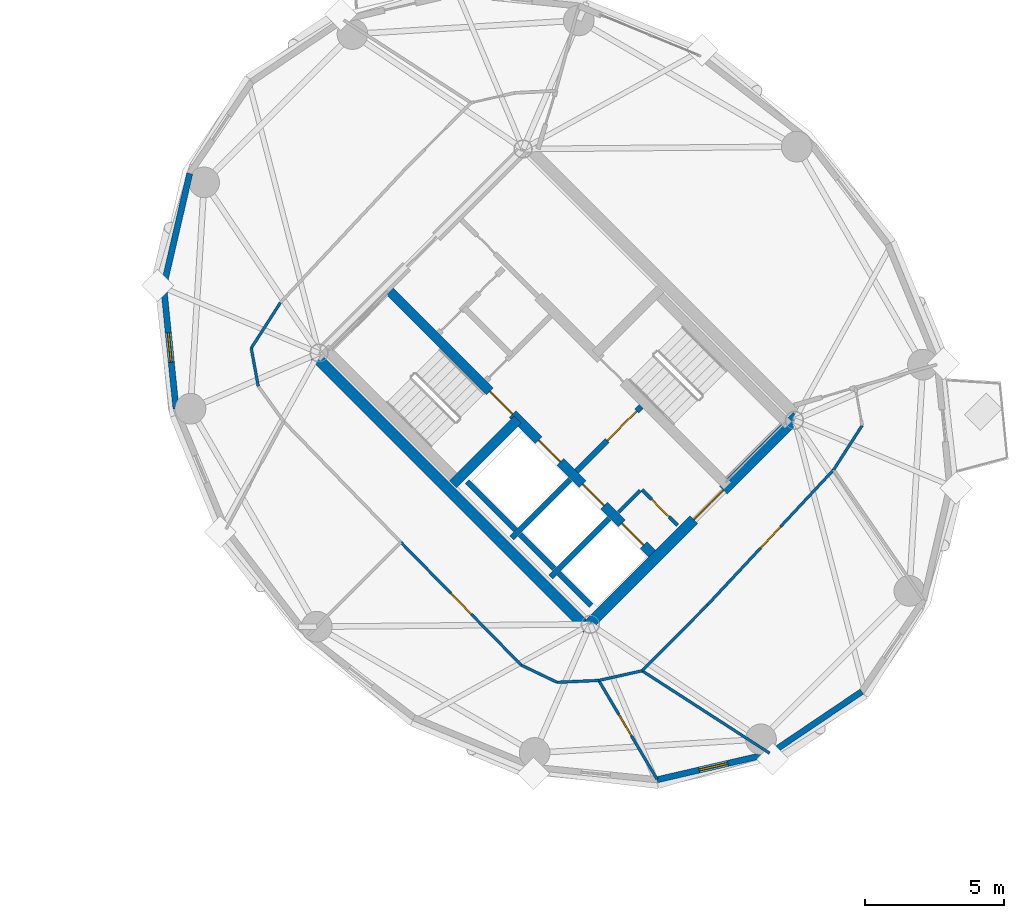
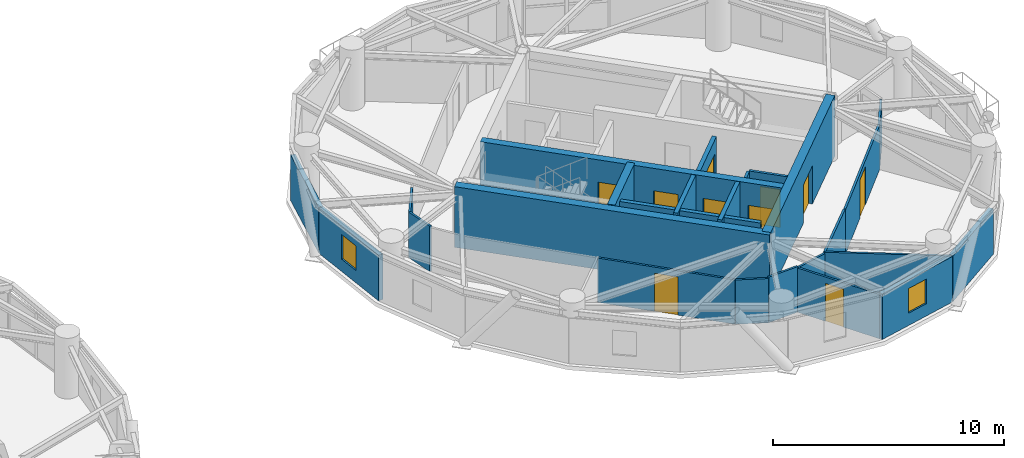
# One storey, part 10 of 15: 27 walls, 10 doors, 2 windows, 12 openings.
"""IFC4 building model written with IfcOpenShell, lengths in metres."""

import ifcopenshell
import ifcopenshell.guid

model = None  # the IFC model being written
_history = None  # IfcOwnerHistory: only IFC2X3 demands one
_inside = {}  # id of a spatial element -> (the spatial element, [elements in it])
_under = {}  # id of a project, library or spatial element -> (it, [spatial elements below it])
_declared = {}  # id of a project -> (the project, [libraries it declares])
_typed = {}  # id of a type object -> (the type object, [elements of that type])
_made_of = {}  # id of a material, layer set ... -> (it, [elements and type objects made of it])


def new_model(schema):
    """Start an empty IFC model of exactly this schema.

    Asked for "IFC4X3", IfcOpenShell would pick the latest addendum, in which some entities
    have other attributes; the version numbers below select the first issue.
    IFC2X3 requires an IfcOwnerHistory on every rooted entity: one is made here for all.
    """
    global model, _history
    if schema == "IFC4X3":
        model = ifcopenshell.file(schema_version=(4, 3, 0, 0))
    else:
        model = ifcopenshell.file(schema=schema)
    _inside.clear()
    _under.clear()
    _declared.clear()
    _typed.clear()
    _made_of.clear()
    _history = None
    if model.schema == "IFC2X3":
        org = make("IfcOrganization", Name="unknown")
        user = make(
            "IfcPersonAndOrganization",
            ThePerson=make("IfcPerson", FamilyName="unknown"),
            TheOrganization=org,
        )
        app = make(
            "IfcApplication",
            ApplicationDeveloper=org,
            Version="unknown",
            ApplicationFullName="unknown",
            ApplicationIdentifier="unknown",
        )
        _history = make(
            "IfcOwnerHistory",
            OwningUser=user,
            OwningApplication=app,
            ChangeAction="ADDED",
            CreationDate=0,
        )
    return model


def make(cls, **values):
    """One entity of the class cls with the attributes given. An attribute that is None is left unset."""
    return model.create_entity(
        cls, **{name: value for name, value in values.items() if value is not None}
    )


def rooted(cls, **values):
    """An entity with a GlobalId (a new one), such as an element, a storey or a relation."""
    return make(cls, GlobalId=ifcopenshell.guid.new(), OwnerHistory=_history, **values)


def si_unit(unit_type, name, prefix=None):
    """IfcSIUnit, for example si_unit("LENGTHUNIT", "METRE", prefix="MILLI")."""
    return make("IfcSIUnit", UnitType=unit_type, Prefix=prefix, Name=name)


def assignment(units):
    """IfcUnitAssignment: the units of a project."""
    return None if units is None else make("IfcUnitAssignment", Units=units)


def point(xyz):
    """IfcCartesianPoint."""
    return None if xyz is None else make("IfcCartesianPoint", Coordinates=xyz)


def direction(xyz):
    """IfcDirection."""
    return None if xyz is None else make("IfcDirection", DirectionRatios=xyz)


def frame(location, z_axis=None, x_axis=None):
    """IfcAxis2Placement3D, a coordinate frame: its origin and axes. An axis left out is left unset."""
    return make(
        "IfcAxis2Placement3D",
        Location=point(location),
        Axis=direction(z_axis),
        RefDirection=direction(x_axis),
    )


def frame_2d(location, x_axis=None):
    """IfcAxis2Placement2D, a coordinate frame in the plane: its origin and x axis."""
    return make(
        "IfcAxis2Placement2D", Location=point(location), RefDirection=direction(x_axis)
    )


def origin():
    """The frame at (0, 0, 0) with its axes left unset."""
    return frame((0.0, 0.0, 0.0))


def place(relative_to, where):
    """IfcLocalPlacement: puts the frame where relative to a parent placement (None: the world)."""
    return make(
        "IfcLocalPlacement", PlacementRelTo=relative_to, RelativePlacement=where
    )


def context(
    kind, dimensions, precision=None, world=None, true_north=None, identifier=None
):
    """IfcGeometricRepresentationContext, for example the 3D "Model" context."""
    return make(
        "IfcGeometricRepresentationContext",
        ContextIdentifier=identifier,
        ContextType=kind,
        CoordinateSpaceDimension=dimensions,
        Precision=precision,
        WorldCoordinateSystem=world,
        TrueNorth=true_north,
    )


def subcontext(parent, identifier, kind, view, scale=None):
    """IfcGeometricRepresentationSubContext, for example "Body" below "Model"."""
    return make(
        "IfcGeometricRepresentationSubContext",
        ContextIdentifier=identifier,
        ContextType=kind,
        ParentContext=parent,
        TargetScale=scale,
        TargetView=view,
    )


def project(units=None, contexts=None):
    """IfcProject with its units and contexts."""
    return rooted(
        "IfcProject",
        Name="project",
        RepresentationContexts=contexts,
        UnitsInContext=assignment(units),
    )


def spatial(cls, under=None, at=None, **own):
    """A site, building, storey or space (cls), placed at a placement, below another one or the project."""
    s = rooted(cls, ObjectPlacement=at, **own)
    if under is not None:
        _under.setdefault(under.id(), (under, []))[1].append(s)
    return s


def profile(cls, at=None, kind="AREA", **sizes):
    """A parametric profile (cls). Its sizes go by their IFC names, for example OverallWidth=200.0."""
    return make(cls, ProfileType=kind, Position=at, **sizes)


def rectangle(**sizes):
    """IfcRectangleProfileDef."""
    return profile("IfcRectangleProfileDef", **sizes)


def extrude(swept, where, along, depth):
    """IfcExtrudedAreaSolid: the profile swept, set in the frame where, extruded along a direction by depth."""
    return make(
        "IfcExtrudedAreaSolid",
        SweptArea=swept,
        Position=where,
        ExtrudedDirection=direction(along),
        Depth=depth,
    )


def shape(context_of_items, identifier, shape_type, items):
    """IfcShapeRepresentation: the items that make up one representation, for example the "Body"."""
    return make(
        "IfcShapeRepresentation",
        ContextOfItems=context_of_items,
        RepresentationIdentifier=identifier,
        RepresentationType=shape_type,
        Items=items,
    )


def source(mapping_origin, context_of_items, identifier, shape_type, items):
    """IfcRepresentationMap: a shape defined once, which mapped items show again and again."""
    return make(
        "IfcRepresentationMap",
        MappingOrigin=mapping_origin,
        MappedRepresentation=shape(context_of_items, identifier, shape_type, items),
    )


def transform(
    local_origin,
    x_axis=None,
    y_axis=None,
    z_axis=None,
    scale=None,
    scale2=None,
    scale3=None,
    uniform=True,
):
    """IfcCartesianTransformationOperator3D, or its non-uniform kind. x_axis, y_axis, z_axis: its Axis1, 2, 3."""
    if uniform:
        return make(
            "IfcCartesianTransformationOperator3D",
            Axis1=direction(x_axis),
            Axis2=direction(y_axis),
            LocalOrigin=point(local_origin),
            Scale=scale,
            Axis3=direction(z_axis),
        )
    return make(
        "IfcCartesianTransformationOperator3DnonUniform",
        Axis1=direction(x_axis),
        Axis2=direction(y_axis),
        LocalOrigin=point(local_origin),
        Scale=scale,
        Axis3=direction(z_axis),
        Scale2=scale2,
        Scale3=scale3,
    )


def mapped(mapping_source, mapping_target):
    """IfcMappedItem: shows the shape of a source again, moved by a transform."""
    return make(
        "IfcMappedItem", MappingSource=mapping_source, MappingTarget=mapping_target
    )


def material(Name=None, Category=None):
    """IfcMaterial."""
    return make("IfcMaterial", Name=Name, Category=Category)


def layer(
    of_material, thickness, ventilated=None, Name=None, Category=None, Priority=None
):
    """IfcMaterialLayer: one layer of a wall or slab, of a material (None: an air gap)."""
    return make(
        "IfcMaterialLayer",
        Material=of_material,
        LayerThickness=thickness,
        IsVentilated=ventilated,
        Name=Name,
        Category=Category,
        Priority=Priority,
    )


def layer_set(layers, Name=None):
    """IfcMaterialLayerSet."""
    return make("IfcMaterialLayerSet", MaterialLayers=layers, LayerSetName=Name)


def made_of(thing, what):
    """Note that an element or type object is made of a material, layer set ...; save() writes the relation."""
    if what is not None:
        _made_of.setdefault(what.id(), (what, []))[1].append(thing)
    return thing


def type_object(cls, material=None, **own):
    """A type object (cls), such as IfcWallType, which elements share."""
    return made_of(rooted(cls, **own), material)


def element(
    cls,
    number,
    at=None,
    inside=None,
    cuts=None,
    type_object=None,
    material=None,
    context=None,
    identifier="Body",
    shape_type=None,
    held_by="IfcProductDefinitionShape",
    body=None,
    shapes=None,
    **own,
):
    """One element of the class cls, such as IfcWall. Its Tag is "e" and its number.

    at: its placement. inside: the storey or other place that contains it. cuts: it is an
    opening in that element (IfcRelVoidsElement). A single representation is given by context,
    identifier, shape_type and body (its items); several are given by shapes. held_by: the class
    of the entity that holds the representations. save() writes the other relations.
    """
    e = rooted(cls, Tag="e%d" % number, ObjectPlacement=at, **own)
    if body is not None:
        shapes = [shape(context, identifier, shape_type, body)]
    if shapes is not None:
        e.Representation = make(held_by, Representations=shapes)
    if inside is not None:
        _inside.setdefault(inside.id(), (inside, []))[1].append(e)
    if cuts is not None:
        rooted(
            "IfcRelVoidsElement", RelatingBuildingElement=cuts, RelatedOpeningElement=e
        )
    if type_object is not None:
        _typed.setdefault(type_object.id(), (type_object, []))[1].append(e)
    return made_of(e, material)


def fill(opening, filler):
    """IfcRelFillsElement: the door or window that sits in an opening."""
    return rooted(
        "IfcRelFillsElement",
        RelatingOpeningElement=opening,
        RelatedBuildingElement=filler,
    )


def aggregate(whole, parts):
    """IfcRelAggregates: a whole, such as a stair, and the parts it consists of."""
    return rooted("IfcRelAggregates", RelatingObject=whole, RelatedObjects=parts)


def save(model, path):
    """Write the relations noted so far, then the file.

    IfcRelAggregates (storeys below a building ...), IfcRelContainedInSpatialStructure (elements
    in a storey), IfcRelDefinesByType, IfcRelAssociatesMaterial and IfcRelDeclares: one each for
    every whole, place, type object, material and project.
    """
    for whole, parts in _under.values():
        aggregate(whole, parts)
    for where, things in _inside.values():
        rooted(
            "IfcRelContainedInSpatialStructure",
            RelatedElements=things,
            RelatingStructure=where,
        )
    for kind, things in _typed.values():
        rooted("IfcRelDefinesByType", RelatedObjects=things, RelatingType=kind)
    for what, things in _made_of.values():
        rooted("IfcRelAssociatesMaterial", RelatedObjects=things, RelatingMaterial=what)
    for by, libraries in _declared.values():
        rooted("IfcRelDeclares", RelatingContext=by, RelatedDefinitions=libraries)
    model.write(path)


model = new_model("IFC4")

# Units and contexts
model_context = context("Model", 3, precision=1e-05, world=origin(), true_north=direction((0.0, 1.0)))
body_context = subcontext(model_context, "Body", "Model", "MODEL_VIEW")
ifc_project = project(units=[si_unit("LENGTHUNIT", "METRE"), si_unit("AREAUNIT", "SQUARE_METRE"), si_unit("VOLUMEUNIT", "CUBIC_METRE"), si_unit("PLANEANGLEUNIT", "RADIAN"), si_unit("MASSUNIT", "GRAM", prefix="KILO")], contexts=[model_context])

# Site, building, storey
site_placement = place(None, origin())
site = spatial("IfcSite", under=ifc_project, at=site_placement, CompositionType="ELEMENT")
building_placement = place(site_placement, origin())
building = spatial("IfcBuilding", under=site, at=building_placement, Name="Cununo Teusaquillo Station Towers", CompositionType="ELEMENT")
storey_placement = place(building_placement, frame((0.0, 0.0, 232.449951171875)))
storey = spatial("IfcBuildingStorey", under=building, at=storey_placement, Name="L74", CompositionType="ELEMENT", Elevation=232.449951171875)

# Walls
ifc_material_1 = material(Name="Concrete C50/60", Category="concrete")
ifc_layer_1 = layer(ifc_material_1, 0.199951171875)
ifc_layer_set_1 = layer_set([ifc_layer_1], Name="Concrete C50/60")
wall_type_1 = type_object("IfcWallType", Name="WL-CORE-200", PredefinedType="SHEAR", material=ifc_layer_set_1)
wall_1_placement = place(storey_placement, frame((55.8876953125, 19.0693359375, 0.0), z_axis=(0.0, 0.0, 1.0), x_axis=(0.707106781187, 0.707106781187, 0.0)))
element("IfcWall", 1, at=wall_1_placement, inside=storey, type_object=wall_type_1, Name="L74 Tower B Firefighting Lift Shaft South Shear Wall", PredefinedType="SHEAR", context=body_context, shape_type="SweptSolid", body=[
    extrude(rectangle(XDim=2.969970703125, YDim=0.199951171875, at=frame_2d((1.48486328125, 0.0))), origin(), (0.0, 0.0, 1.0), 3.199951171875),
])
wall_2_placement = place(storey_placement, frame((56.01513671875, 19.366455078125, 0.0), z_axis=(0.0, 0.0, 1.0), x_axis=(-0.707106781187, 0.707106781187, 0.0)))
element("IfcWall", 2, at=wall_2_placement, inside=storey, type_object=wall_type_1, Name="L74 Tower B Firefighting Lift Shaft Rear Shear Wall", PredefinedType="SHEAR", context=body_context, shape_type="SweptSolid", body=[
    extrude(rectangle(XDim=2.43994140625, YDim=0.199951171875, at=frame_2d((1.219970703125, 0.0))), origin(), (0.0, 0.0, 1.0), 3.199951171875),
])
wall_3_placement = place(storey_placement, frame((57.2841796875, 17.6728515625, 0.0), z_axis=(0.0, 0.0, 1.0), x_axis=(0.707147878904, 0.70706568108, 0.0)))
element("IfcWall", 3, at=wall_3_placement, inside=storey, type_object=wall_type_1, Name="L74 Tower B High-Rise Lift Hoistway Divider Shear Wall", PredefinedType="SHEAR", context=body_context, shape_type="SweptSolid", body=[
    extrude(rectangle(XDim=2.97021484375, YDim=0.199951171875, at=frame_2d((1.485107421875, 0.0))), origin(), (0.0, 0.0, 1.0), 3.199951171875),
])
wall_4_placement = place(storey_placement, frame((57.41162109375, 17.969970703125, 0.0), z_axis=(0.0, 0.0, 1.0), x_axis=(-0.707106781187, 0.707106781187, 0.0)))
element("IfcWall", 4, at=wall_4_placement, inside=storey, type_object=wall_type_1, Name="L74 Tower B High-Rise Lift 2 Shaft Rear Shear Wall", PredefinedType="SHEAR", context=body_context, shape_type="SweptSolid", body=[
    extrude(rectangle(XDim=1.73486328125, YDim=0.199951171875, at=frame_2d((0.867431640625, 0.0))), origin(), (0.0, 0.0, 1.0), 3.199951171875),
])
wall_5_placement = place(storey_placement, frame((58.7373046875, 16.64404296875, 0.0), z_axis=(0.0, 0.0, 1.0), x_axis=(-0.707032117043, 0.707181437447, 0.0)))
element("IfcWall", 5, at=wall_5_placement, inside=storey, type_object=wall_type_1, Name="L74 Tower B High-Rise Lift 1 Shaft Rear Shear Wall", PredefinedType="SHEAR", context=body_context, shape_type="SweptSolid", body=[
    extrude(rectangle(XDim=1.635009765625, YDim=0.199951171875, at=frame_2d((0.8173828125, 0.0))), origin(), (0.0, 0.0, 1.0), 3.199951171875),
])

# Wall, openings, doors
ifc_material_2 = material(Name="Concrete C50/60", Category="concrete")
ifc_layer_2 = layer(ifc_material_2, 0.35009765625)
ifc_layer_set_2 = layer_set([ifc_layer_2], Name="Concrete C50/60")
wall_type_2 = type_object("IfcWallType", Name="WL-CORE-350", PredefinedType="SHEAR", material=ifc_layer_set_2)
wall_6_placement = place(storey_placement, frame((61.060302734375, 18.372802734375, 0.0), z_axis=(0.0, 0.0, 1.0), x_axis=(-0.707106781187, 0.707106781187, 0.0)))
wall_6 = element("IfcWall", 6, at=wall_6_placement, inside=storey, type_object=wall_type_2, Name="L74 Tower B Core Shear Wall IW", PredefinedType="SHEAR", context=body_context, shape_type="SweptSolid", body=[
    extrude(rectangle(XDim=13.7001953125, YDim=0.35009765625, at=frame_2d((6.85009765625, 0.0))), origin(), (0.0, 0.0, 1.0), 3.199951171875),
])
shared_shape_1 = source(origin(), body_context, "Body", "SweptSolid", [
    extrude(rectangle(XDim=1.10009765625, YDim=2.014892578125, at=frame_2d((0.550048828125, 1.00732421875))), frame((0.0, 0.18505859375, 0.0), z_axis=(0.0, -1.0, 0.0), x_axis=(1.0, 0.0, 0.0)), (0.0, 0.0, 1.0), 0.3701171875),
])
opening_1_placement = place(wall_6_placement, frame((4.85009765625, 0.0, 0.0)))
opening_1 = element("IfcOpeningElement", 7, at=opening_1_placement, cuts=wall_6, Name="Opening LD-01", PredefinedType="OPENING", context=body_context, shape_type="MappedRepresentation", body=[
    mapped(shared_shape_1, transform((0.0, 0.0, 0.0), x_axis=(1.0, 0.0, 0.0), y_axis=(0.0, 1.0, 0.0), z_axis=(0.0, 0.0, 1.0), scale=1.0)),
])
opening_2_placement = place(wall_6_placement, frame((0.625, 0.0, 0.0)))
opening_2 = element("IfcOpeningElement", 8, at=opening_2_placement, cuts=wall_6, Name="Opening LD-01", PredefinedType="OPENING", context=body_context, shape_type="MappedRepresentation", body=[
    mapped(shared_shape_1, transform((0.0, 0.0, 0.0), x_axis=(1.0, 0.0, 0.0), y_axis=(0.0, 1.0, 0.0), z_axis=(0.0, 0.0, 1.0), scale=1.0)),
])
opening_3_placement = place(wall_6_placement, frame((2.625, 0.0, 0.0)))
opening_3 = element("IfcOpeningElement", 9, at=opening_3_placement, cuts=wall_6, Name="Opening LD-01", PredefinedType="OPENING", context=body_context, shape_type="MappedRepresentation", body=[
    mapped(shared_shape_1, transform((0.0, 0.0, 0.0), x_axis=(1.0, 0.0, 0.0), y_axis=(0.0, 1.0, 0.0), z_axis=(0.0, 0.0, 1.0), scale=1.0)),
])
shared_shape_2 = source(origin(), body_context, "Body", "SweptSolid", [
    extrude(rectangle(XDim=1.14990234375, YDim=2.02001953125, at=frame_2d((0.574951171875, 1.010009765625))), frame((0.0, 0.18505859375, 0.0), z_axis=(0.0, -1.0, 0.0), x_axis=(1.0, 0.0, 0.0)), (0.0, 0.0, 1.0), 0.3701171875),
])
opening_4_placement = place(wall_6_placement, frame((7.27001953125, 0.0, 0.0)))
opening_4 = element("IfcOpeningElement", 10, at=opening_4_placement, cuts=wall_6, Name="Opening D-ST1", PredefinedType="OPENING", context=body_context, shape_type="MappedRepresentation", body=[
    mapped(shared_shape_2, transform((0.0, 0.0, 0.0), x_axis=(1.0, 0.0, 0.0), y_axis=(0.0, 1.0, 0.0), z_axis=(0.0, 0.0, 1.0), scale=1.0)),
])
ifc_material_3 = material(Name="Galvanised fire-rated hollow steel door assembly", Category="steel")
door_type_1 = type_object("IfcDoorType", Name="DR-LIFT-1100", OperationType="SLIDING_TO_LEFT", PredefinedType="DOOR", material=ifc_material_3)
shared_shape_3 = source(origin(), body_context, "Body", "SweptSolid", [
    extrude(rectangle(XDim=1.10009765625, YDim=2.014892578125, at=frame_2d((0.550048828125, 1.00732421875))), frame((0.0, 0.02490234375, 0.0), z_axis=(0.0, -1.0, 0.0), x_axis=(1.0, 0.0, 0.0)), (0.0, 0.0, 1.0), 0.050048828125),
])
door_1_placement = place(opening_1_placement, origin())
door_1 = element("IfcDoor", 11, at=door_1_placement, inside=storey, type_object=door_type_1, Name="L74 Lift FL-T2 Sliding Landing Door", OperationType="SLIDING_TO_RIGHT", OverallHeight=2.014892578125, OverallWidth=1.10009765625, PredefinedType="DOOR", context=body_context, shape_type="MappedRepresentation", body=[
    mapped(shared_shape_3, transform((0.0, 0.0, 0.0), x_axis=(1.0, 0.0, 0.0), y_axis=(0.0, 1.0, 0.0), z_axis=(0.0, 0.0, 1.0), scale=1.0)),
])
fill(opening_1, door_1)
door_2_placement = place(opening_2_placement, origin())
door_2 = element("IfcDoor", 12, at=door_2_placement, inside=storey, type_object=door_type_1, Name="L74 Lift PL-T2-H1 Sliding Landing Door", OperationType="SLIDING_TO_RIGHT", OverallHeight=2.014892578125, OverallWidth=1.10009765625, PredefinedType="DOOR", context=body_context, shape_type="MappedRepresentation", body=[
    mapped(shared_shape_3, transform((0.0, 0.0, 0.0), x_axis=(1.0, 0.0, 0.0), y_axis=(0.0, 1.0, 0.0), z_axis=(0.0, 0.0, 1.0), scale=1.0)),
])
fill(opening_2, door_2)
door_3_placement = place(opening_3_placement, origin())
door_3 = element("IfcDoor", 13, at=door_3_placement, inside=storey, type_object=door_type_1, Name="L74 Lift PL-T2-H2 Sliding Landing Door", OperationType="SLIDING_TO_LEFT", OverallHeight=2.014892578125, OverallWidth=1.10009765625, PredefinedType="DOOR", context=body_context, shape_type="MappedRepresentation", body=[
    mapped(shared_shape_3, transform((0.0, 0.0, 0.0), x_axis=(1.0, 0.0, 0.0), y_axis=(0.0, 1.0, 0.0), z_axis=(0.0, 0.0, 1.0), scale=1.0)),
])
fill(opening_3, door_3)
ifc_material_4 = material(Name="Galvanised fire-rated hollow steel door assembly", Category="steel")
door_type_2 = type_object("IfcDoorType", Name="DR-STAIR-1150", OperationType="NOTDEFINED", PredefinedType="DOOR", material=ifc_material_4)
shared_shape_4 = source(origin(), body_context, "Body", "SweptSolid", [
    extrude(rectangle(XDim=1.14990234375, YDim=2.02001953125, at=frame_2d((0.574951171875, 1.010009765625))), frame((0.0, 0.02490234375, 0.0), z_axis=(0.0, -1.0, 0.0), x_axis=(1.0, 0.0, 0.0)), (0.0, 0.0, 1.0), 0.050048828125),
])
door_4_placement = place(opening_4_placement, origin())
door_4 = element("IfcDoor", 14, at=door_4_placement, inside=storey, type_object=door_type_2, Name="L74 Tower B Exit Stair 1 Fire Door", OperationType="SINGLE_SWING_RIGHT", OverallHeight=2.02001953125, OverallWidth=1.14990234375, PredefinedType="DOOR", context=body_context, shape_type="MappedRepresentation", body=[
    mapped(shared_shape_4, transform((0.0, 0.0, 0.0), x_axis=(1.0, 0.0, 0.0), y_axis=(0.0, 1.0, 0.0), z_axis=(0.0, 0.0, 1.0), scale=1.0)),
])
fill(opening_4, door_4)

# Walls
wall_7_placement = place(storey_placement, frame((53.7841796875, 21.00341796875, 0.0), z_axis=(0.0, 0.0, 1.0), x_axis=(0.707106781187, 0.707106781187, 0.0)))
element("IfcWall", 15, at=wall_7_placement, inside=storey, type_object=wall_type_2, Name="L74 Tower B Core Shear Wall ST1S", PredefinedType="SHEAR", context=body_context, shape_type="SweptSolid", body=[
    extrude(rectangle(XDim=3.284912109375, YDim=0.35009765625, at=frame_2d((1.642578125, 0.0))), origin(), (0.0, 0.0, 1.0), 3.199951171875),
])
ifc_material_5 = material(Name="Concrete C50/60", Category="concrete")
ifc_layer_3 = layer(ifc_material_5, 0.39990234375)
ifc_layer_set_3 = layer_set([ifc_layer_3], Name="Concrete C50/60")
wall_type_3 = type_object("IfcWallType", Name="WL-CORE-400", PredefinedType="SHEAR", material=ifc_layer_set_3)
wall_8_placement = place(storey_placement, frame((58.7021484375, 15.73193359375, 0.0), z_axis=(0.0, 0.0, 1.0), x_axis=(-0.707106781187, 0.707106781187, 0.0)))
element("IfcWall", 16, at=wall_8_placement, inside=storey, type_object=wall_type_3, Name="L74 Tower B Core Shear Wall W", PredefinedType="SHEAR", context=body_context, shape_type="SweptSolid", body=[
    extrude(rectangle(XDim=14.10009765625, YDim=0.39990234375, at=frame_2d((7.050048828125, 0.0))), origin(), (0.0, 0.0, 1.0), 3.199951171875),
])

# Wall, opening, door
wall_9_placement = place(storey_placement, frame((58.560791015625, 15.873291015625, 0.0), z_axis=(0.0, 0.0, 1.0), x_axis=(0.707106781187, 0.707106781187, 0.0)))
wall_9 = element("IfcWall", 17, at=wall_9_placement, inside=storey, type_object=wall_type_3, Name="L74 Tower B Core Shear Wall S", PredefinedType="SHEAR", context=body_context, shape_type="SweptSolid", body=[
    extrude(rectangle(XDim=10.69970703125, YDim=0.39990234375, at=frame_2d((5.349853515625, 0.0))), origin(), (0.0, 0.0, 1.0), 3.199951171875),
])
shared_shape_5 = source(origin(), body_context, "Body", "SweptSolid", [
    extrude(rectangle(XDim=1.5, YDim=2.02001953125, at=frame_2d((0.75, 1.010009765625))), frame((0.0, 0.2099609375, 0.0), z_axis=(0.0, -1.0, 0.0), x_axis=(1.0, 0.0, 0.0)), (0.0, 0.0, 1.0), 0.419921875),
])
opening_5_placement = place(wall_9_placement, frame((5.449951171875, 0.0, 0.0)))
opening_5 = element("IfcOpeningElement", 18, at=opening_5_placement, cuts=wall_9, Name="Opening D-LB1", PredefinedType="OPENING", context=body_context, shape_type="MappedRepresentation", body=[
    mapped(shared_shape_5, transform((0.0, 0.0, 0.0), x_axis=(1.0, 0.0, 0.0), y_axis=(0.0, 1.0, 0.0), z_axis=(0.0, 0.0, 1.0), scale=1.0)),
])
ifc_material_6 = material(Name="Galvanised fire-rated hollow steel door assembly", Category="steel")
door_type_3 = type_object("IfcDoorType", Name="DR-LOBBY-1500", OperationType="DOUBLE_DOOR_SINGLE_SWING", PredefinedType="DOOR", material=ifc_material_6)
shared_shape_6 = source(origin(), body_context, "Body", "SweptSolid", [
    extrude(rectangle(XDim=1.5, YDim=2.02001953125, at=frame_2d((0.75, 1.010009765625))), frame((0.0, 0.02490234375, 0.0), z_axis=(0.0, -1.0, 0.0), x_axis=(1.0, 0.0, 0.0)), (0.0, 0.0, 1.0), 0.050048828125),
])
door_5_placement = place(opening_5_placement, origin())
door_5 = element("IfcDoor", 19, at=door_5_placement, inside=storey, type_object=door_type_3, Name="L74 Tower B South Core Lift Lobby Door", OperationType="DOUBLE_DOOR_SINGLE_SWING", OverallHeight=2.02001953125, OverallWidth=1.5, PredefinedType="DOOR", context=body_context, shape_type="MappedRepresentation", body=[
    mapped(shared_shape_6, transform((0.0, 0.0, 0.0), x_axis=(1.0, 0.0, 0.0), y_axis=(0.0, 1.0, 0.0), z_axis=(0.0, 0.0, 1.0), scale=1.0)),
])
fill(opening_5, door_5)

# Wall
ifc_material_7 = material(Name="Precast concrete C40/50", Category="concrete")
ifc_layer_4 = layer(ifc_material_7, 0.219970703125)
ifc_layer_set_4 = layer_set([ifc_layer_4], Name="Precast concrete C40/50")
wall_type_4 = type_object("IfcWallType", Name="WL-EXT-220", PredefinedType="SOLIDWALL", material=ifc_layer_set_4)
wall_10_placement = place(storey_placement, frame((43.40087890625, 28.100341796875, 0.0), z_axis=(0.0, 0.0, 1.0), x_axis=(0.225473813158, 0.974249228678, 0.0)))
element("IfcWall", 20, at=wall_10_placement, inside=storey, type_object=wall_type_4, Name="L74 Tower B Exterior Facade Wall C06", PredefinedType="SOLIDWALL", context=body_context, shape_type="SweptSolid", body=[
    extrude(rectangle(XDim=4.150390625, YDim=0.219970703125, at=frame_2d((2.0751953125, 0.0))), origin(), (0.0, 0.0, 1.0), 2.402099609375),
])

# Wall, opening, window
wall_11_placement = place(storey_placement, frame((43.84521484375, 23.70458984375, 0.0), z_axis=(0.0, 0.0, 1.0), x_axis=(-0.100570534541, 0.994929930991, 0.0)))
wall_11 = element("IfcWall", 21, at=wall_11_placement, inside=storey, type_object=wall_type_4, Name="L74 Tower B Exterior Facade Wall C07", PredefinedType="SOLIDWALL", context=body_context, shape_type="SweptSolid", body=[
    extrude(rectangle(XDim=4.418212890625, YDim=0.219970703125, at=frame_2d((2.208984375, 0.0))), origin(), (0.0, 0.0, 1.0), 2.402099609375),
])
shared_shape_7 = source(origin(), body_context, "Body", "SweptSolid", [
    extrude(rectangle(XDim=1.050048828125, YDim=1.300048828125, at=frame_2d((0.52490234375, 0.64990234375))), frame((0.0, 0.119873046875, 0.0), z_axis=(0.0, -1.0, 0.0), x_axis=(1.0, 0.0, 0.0)), (0.0, 0.0, 1.0), 0.239990234375),
])
opening_6_placement = place(wall_11_placement, frame((1.68408203125, 0.0, 0.64990234375)))
opening_6 = element("IfcOpeningElement", 22, at=opening_6_placement, cuts=wall_11, Name="Opening WN-04", PredefinedType="OPENING", context=body_context, shape_type="MappedRepresentation", body=[
    mapped(shared_shape_7, transform((0.0, 0.0, 0.0), x_axis=(1.0, 0.0, 0.0), y_axis=(0.0, 1.0, 0.0), z_axis=(0.0, 0.0, 1.0), scale=1.0)),
])
ifc_material_8 = material(Name="Operable acoustic tinted low-E double glazing", Category="glass")
window_type = type_object("IfcWindowType", Name="WIN-BAL-1050", PartitioningType="SINGLE_PANEL", PredefinedType="WINDOW", material=ifc_material_8)
shared_shape_8 = source(origin(), body_context, "Body", "SweptSolid", [
    extrude(rectangle(XDim=1.050048828125, YDim=1.300048828125, at=frame_2d((0.52490234375, 0.64990234375))), frame((0.0, 0.030029296875, 0.0), z_axis=(0.0, -1.0, 0.0), x_axis=(1.0, 0.0, 0.0)), (0.0, 0.0, 1.0), 0.06005859375),
])
window_1_placement = place(opening_6_placement, origin())
window_1 = element("IfcWindow", 23, at=window_1_placement, inside=storey, type_object=window_type, Name="L74 Tower B Facade Window C07", OverallHeight=1.300048828125, OverallWidth=1.050048828125, PartitioningType="SINGLE_PANEL", PredefinedType="WINDOW", context=body_context, shape_type="MappedRepresentation", body=[
    mapped(shared_shape_8, transform((0.0, 0.0, 0.0), x_axis=(1.0, 0.0, 0.0), y_axis=(0.0, 1.0, 0.0), z_axis=(0.0, 0.0, 1.0), scale=1.0)),
])
fill(opening_6, window_1)

wall_12_placement = place(storey_placement, frame((65.143798828125, 11.336669921875, 0.0), z_axis=(0.0, 0.0, 1.0), x_axis=(-0.974249228678, -0.225473813158, 0.0)))
wall_12 = element("IfcWall", 24, at=wall_12_placement, inside=storey, type_object=wall_type_4, Name="L74 Tower B Exterior Facade Wall C13", PredefinedType="SOLIDWALL", context=body_context, shape_type="SweptSolid", body=[
    extrude(rectangle(XDim=4.150390625, YDim=0.219970703125, at=frame_2d((2.0751953125, 0.0))), origin(), (0.0, 0.0, 1.0), 2.402099609375),
])
opening_7_placement = place(wall_12_placement, frame((1.550048828125, 0.0, 0.64990234375)))
opening_7 = element("IfcOpeningElement", 25, at=opening_7_placement, cuts=wall_12, Name="Opening WN-04", PredefinedType="OPENING", context=body_context, shape_type="MappedRepresentation", body=[
    mapped(shared_shape_7, transform((0.0, 0.0, 0.0), x_axis=(1.0, 0.0, 0.0), y_axis=(0.0, 1.0, 0.0), z_axis=(0.0, 0.0, 1.0), scale=1.0)),
])
window_2_placement = place(opening_7_placement, origin())
window_2 = element("IfcWindow", 26, at=window_2_placement, inside=storey, type_object=window_type, Name="L74 Tower B Facade Window C13", OverallHeight=1.300048828125, OverallWidth=1.050048828125, PartitioningType="SINGLE_PANEL", PredefinedType="WINDOW", context=body_context, shape_type="MappedRepresentation", body=[
    mapped(shared_shape_8, transform((0.0, 0.0, 0.0), x_axis=(1.0, 0.0, 0.0), y_axis=(0.0, 1.0, 0.0), z_axis=(0.0, 0.0, 1.0), scale=1.0)),
])
fill(opening_7, window_2)

# Walls
wall_13_placement = place(storey_placement, frame((68.43896484375, 13.56103515625, 0.0), z_axis=(0.0, 0.0, 1.0), x_axis=(-0.828833723692, -0.559495003079, 0.0)))
element("IfcWall", 27, at=wall_13_placement, inside=storey, type_object=wall_type_4, Name="L74 Tower B Exterior Facade Wall C14", PredefinedType="SOLIDWALL", context=body_context, shape_type="SweptSolid", body=[
    extrude(rectangle(XDim=3.9755859375, YDim=0.219970703125, at=frame_2d((1.98779296875, 0.0))), origin(), (0.0, 0.0, 1.0), 2.402099609375),
])
ifc_material_9 = material(Name="Fire-rated gypsum plasterboard partition assembly", Category="gypsum")
ifc_layer_5 = layer(ifc_material_9, 0.10009765625)
ifc_layer_set_5 = layer_set([ifc_layer_5], Name="Fire-rated gypsum plasterboard partition assembly")
wall_type_5 = type_object("IfcWallType", Name="WL-PART-100", PredefinedType="MOVABLE", material=ifc_layer_set_5)
wall_14_placement = place(storey_placement, frame((47.58837890625, 27.51025390625, 0.0), z_axis=(0.0, 0.0, 1.0), x_axis=(-0.540202619347, -0.841534984449, 0.0)))
element("IfcWall", 28, at=wall_14_placement, inside=storey, type_object=wall_type_5, Name="L74 Tower B Corridor Ring Wall C06", PredefinedType="MOVABLE", context=body_context, shape_type="SweptSolid", body=[
    extrude(rectangle(XDim=1.934814453125, YDim=0.10009765625, at=frame_2d((0.96728515625, 0.0))), origin(), (0.0, 0.0, 1.0), 2.3349609375),
])
wall_15_placement = place(storey_placement, frame((46.543212890625, 25.882080078125, 0.0), z_axis=(0.0, 0.0, 1.0), x_axis=(0.181153502579, -0.983454832976, 0.0)))
element("IfcWall", 29, at=wall_15_placement, inside=storey, type_object=wall_type_5, Name="L74 Tower B Corridor Ring Wall C07", PredefinedType="MOVABLE", context=body_context, shape_type="SweptSolid", body=[
    extrude(rectangle(XDim=1.39208984375, YDim=0.10009765625, at=frame_2d((0.696044921875, 0.0))), origin(), (0.0, 0.0, 1.0), 2.402099609375),
])

# Wall, opening, door
wall_16_placement = place(storey_placement, frame((51.913818359375, 18.913818359375, 0.0), z_axis=(0.0, 0.0, 1.0), x_axis=(0.699999313799, -0.714143515465, 0.0)))
wall_16 = element("IfcWall", 30, at=wall_16_placement, inside=storey, type_object=wall_type_5, Name="L74 Tower B Corridor Ring Wall C10", PredefinedType="MOVABLE", context=body_context, shape_type="SweptSolid", body=[
    extrude(rectangle(XDim=6.162109375, YDim=0.10009765625, at=frame_2d((3.0810546875, 0.0))), origin(), (0.0, 0.0, 1.0), 2.3349609375),
])
shared_shape_9 = source(origin(), body_context, "Body", "SweptSolid", [
    extrude(rectangle(XDim=1.050048828125, YDim=2.014892578125, at=frame_2d((0.52490234375, 1.00732421875))), frame((0.0, 0.06005859375, 0.0), z_axis=(0.0, -1.0, 0.0), x_axis=(1.0, 0.0, 0.0)), (0.0, 0.0, 1.0), 0.1201171875),
])
opening_8_placement = place(wall_16_placement, frame((2.55615234375, 0.0, 0.0)))
opening_8 = element("IfcOpeningElement", 31, at=opening_8_placement, cuts=wall_16, Name="Opening D-SU1", PredefinedType="OPENING", context=body_context, shape_type="MappedRepresentation", body=[
    mapped(shared_shape_9, transform((0.0, 0.0, 0.0), x_axis=(1.0, 0.0, 0.0), y_axis=(0.0, 1.0, 0.0), z_axis=(0.0, 0.0, 1.0), scale=1.0)),
])
ifc_material_10 = material(Name="Acoustic solid-core hardwood leaf assembly", Category="wood")
door_type_4 = type_object("IfcDoorType", Name="DR-SUITE-1050", OperationType="NOTDEFINED", PredefinedType="DOOR", material=ifc_material_10)
shared_shape_10 = source(origin(), body_context, "Body", "SweptSolid", [
    extrude(rectangle(XDim=1.050048828125, YDim=2.014892578125, at=frame_2d((0.52490234375, 1.00732421875))), frame((0.0, 0.02490234375, 0.0), z_axis=(0.0, -1.0, 0.0), x_axis=(1.0, 0.0, 0.0)), (0.0, 0.0, 1.0), 0.050048828125),
])
door_6_placement = place(opening_8_placement, origin())
door_6 = element("IfcDoor", 32, at=door_6_placement, inside=storey, type_object=door_type_4, Name="L74 Tower B Interactive Altitude & Climate Exhibit Entrance Door", OperationType="SINGLE_SWING_RIGHT", OverallHeight=2.014892578125, OverallWidth=1.050048828125, PredefinedType="DOOR", context=body_context, shape_type="MappedRepresentation", body=[
    mapped(shared_shape_10, transform((0.0, 0.0, 0.0), x_axis=(1.0, 0.0, 0.0), y_axis=(0.0, 1.0, 0.0), z_axis=(0.0, 0.0, 1.0), scale=1.0)),
])
fill(opening_8, door_6)

# Walls
wall_17_placement = place(storey_placement, frame((56.227294921875, 14.51318359375, 0.0), z_axis=(0.0, 0.0, 1.0), x_axis=(0.901477579283, -0.432825801044, 0.0)))
element("IfcWall", 33, at=wall_17_placement, inside=storey, type_object=wall_type_5, Name="L74 Tower B Corridor Ring Wall C11", PredefinedType="MOVABLE", context=body_context, shape_type="SweptSolid", body=[
    extrude(rectangle(XDim=1.42431640625, YDim=0.10009765625, at=frame_2d((0.712158203125, 0.0))), origin(), (0.0, 0.0, 1.0), 2.3349609375),
])
wall_18_placement = place(storey_placement, frame((57.51123046875, 13.896728515625, 0.0), z_axis=(0.0, 0.0, 1.0), x_axis=(0.999024538494, 0.044158481476, 0.0)))
element("IfcWall", 34, at=wall_18_placement, inside=storey, type_object=wall_type_5, Name="L74 Tower B Corridor Ring Wall C12", PredefinedType="MOVABLE", context=body_context, shape_type="SweptSolid", body=[
    extrude(rectangle(XDim=1.498291015625, YDim=0.10009765625, at=frame_2d((0.7490234375, 0.0))), origin(), (0.0, 0.0, 1.0), 2.402099609375),
])
wall_19_placement = place(storey_placement, frame((59.008056640625, 13.962890625, 0.0), z_axis=(0.0, 0.0, 1.0), x_axis=(0.976020856791, 0.21767702476, 0.0)))
element("IfcWall", 35, at=wall_19_placement, inside=storey, type_object=wall_type_5, Name="L74 Tower B Corridor Ring Wall C13", PredefinedType="MOVABLE", context=body_context, shape_type="SweptSolid", body=[
    extrude(rectangle(XDim=1.592529296875, YDim=0.10009765625, at=frame_2d((0.79638671875, 0.0))), origin(), (0.0, 0.0, 1.0), 2.3349609375),
])
wall_20_placement = place(storey_placement, frame((60.5625, 14.3095703125, 0.0), z_axis=(0.0, 0.0, 1.0), x_axis=(0.704566236161, 0.709638230975, 0.0)))
element("IfcWall", 36, at=wall_20_placement, inside=storey, type_object=wall_type_5, Name="L74 Tower B Corridor Ring Wall C14", PredefinedType="MOVABLE", context=body_context, shape_type="SweptSolid", body=[
    extrude(rectangle(XDim=3.3212890625, YDim=0.10009765625, at=frame_2d((1.66064453125, 0.0))), origin(), (0.0, 0.0, 1.0), 2.402099609375),
])

# Wall, opening, door
wall_21_placement = place(storey_placement, frame((62.902587890625, 16.66650390625, 0.0), z_axis=(0.0, 0.0, 1.0), x_axis=(0.682371947497, 0.731005147225, 0.0)))
wall_21 = element("IfcWall", 37, at=wall_21_placement, inside=storey, type_object=wall_type_5, Name="L74 Tower B Corridor Ring Wall C15", PredefinedType="MOVABLE", context=body_context, shape_type="SweptSolid", body=[
    extrude(rectangle(XDim=6.6416015625, YDim=0.10009765625, at=frame_2d((3.32080078125, 0.0))), origin(), (0.0, 0.0, 1.0), 2.3349609375),
])
opening_9_placement = place(wall_21_placement, frame((2.7958984375, 0.0, 0.0)))
opening_9 = element("IfcOpeningElement", 38, at=opening_9_placement, cuts=wall_21, Name="Opening D-SU1", PredefinedType="OPENING", context=body_context, shape_type="MappedRepresentation", body=[
    mapped(shared_shape_9, transform((0.0, 0.0, 0.0), x_axis=(1.0, 0.0, 0.0), y_axis=(0.0, 1.0, 0.0), z_axis=(0.0, 0.0, 1.0), scale=1.0)),
])
door_7_placement = place(opening_9_placement, origin())
door_7 = element("IfcDoor", 39, at=door_7_placement, inside=storey, type_object=door_type_4, Name="L74 Tower B Observatory Cafe & Gift Salon Entrance Door", OperationType="SINGLE_SWING_RIGHT", OverallHeight=2.014892578125, OverallWidth=1.050048828125, PredefinedType="DOOR", context=body_context, shape_type="MappedRepresentation", body=[
    mapped(shared_shape_10, transform((0.0, 0.0, 0.0), x_axis=(1.0, 0.0, 0.0), y_axis=(0.0, 1.0, 0.0), z_axis=(0.0, 0.0, 1.0), scale=1.0)),
])
fill(opening_9, door_7)

# Walls
wall_22_placement = place(storey_placement, frame((67.4345703125, 21.521484375, 0.0), z_axis=(0.0, 0.0, 1.0), x_axis=(0.540777197838, 0.841165870859, 0.0)))
element("IfcWall", 40, at=wall_22_placement, inside=storey, type_object=wall_type_5, Name="L74 Tower B Corridor Ring Wall C16", PredefinedType="MOVABLE", context=body_context, shape_type="SweptSolid", body=[
    extrude(rectangle(XDim=1.887939453125, YDim=0.10009765625, at=frame_2d((0.94384765625, 0.0))), origin(), (0.0, 0.0, 1.0), 2.3349609375),
])
wall_23_placement = place(storey_placement, frame((60.5625, 14.3095703125, 0.0), z_axis=(0.0, 0.0, 1.0), x_axis=(0.839858797161, -0.542804938105, 0.0)))
element("IfcWall", 41, at=wall_23_placement, inside=storey, type_object=wall_type_5, Name="L74 Tower B Radial Suite Partition R04", PredefinedType="MOVABLE", context=body_context, shape_type="SweptSolid", body=[
    extrude(rectangle(XDim=5.444091796875, YDim=0.10009765625, at=frame_2d((2.72216796875, 0.0))), origin(), (0.0, 0.0, 1.0), 2.402099609375),
])

# Wall, opening, door
wall_24_placement = place(storey_placement, frame((59.008056640625, 13.962890625, 0.0), z_axis=(0.0, 0.0, 1.0), x_axis=(0.508047134864, -0.86132926849, 0.0)))
wall_24 = element("IfcWall", 42, at=wall_24_placement, inside=storey, type_object=wall_type_5, Name="L74 Tower B Interactive Altitude & Climate Exhibit Suite Subdividing Wall", PredefinedType="MOVABLE", context=body_context, shape_type="SweptSolid", body=[
    extrude(rectangle(XDim=4.112548828125, YDim=0.10009765625, at=frame_2d((2.05615234375, 0.0))), origin(), (0.0, 0.0, 1.0), 2.3349609375),
])
shared_shape_11 = source(origin(), body_context, "Body", "SweptSolid", [
    extrude(rectangle(XDim=0.89990234375, YDim=2.0048828125, at=frame_2d((0.449951171875, 1.00244140625))), frame((0.0, 0.06005859375, 0.0), z_axis=(0.0, -1.0, 0.0), x_axis=(1.0, 0.0, 0.0)), (0.0, 0.0, 1.0), 0.1201171875),
])
opening_10_placement = place(wall_24_placement, frame((1.41259765625, 0.0, 0.0)))
opening_10 = element("IfcOpeningElement", 43, at=opening_10_placement, cuts=wall_24, Name="Opening D-IN1", PredefinedType="OPENING", context=body_context, shape_type="MappedRepresentation", body=[
    mapped(shared_shape_11, transform((0.0, 0.0, 0.0), x_axis=(1.0, 0.0, 0.0), y_axis=(0.0, 1.0, 0.0), z_axis=(0.0, 0.0, 1.0), scale=1.0)),
])
ifc_material_11 = material(Name="Acoustic solid-core hardwood leaf assembly", Category="wood")
door_type_5 = type_object("IfcDoorType", Name="DR-INT-900", OperationType="NOTDEFINED", PredefinedType="DOOR", material=ifc_material_11)
shared_shape_12 = source(origin(), body_context, "Body", "SweptSolid", [
    extrude(rectangle(XDim=0.89990234375, YDim=2.0048828125, at=frame_2d((0.449951171875, 1.00244140625))), frame((0.0, 0.02490234375, 0.0), z_axis=(0.0, -1.0, 0.0), x_axis=(1.0, 0.0, 0.0)), (0.0, 0.0, 1.0), 0.050048828125),
])
door_8_placement = place(opening_10_placement, origin())
door_8 = element("IfcDoor", 44, at=door_8_placement, inside=storey, type_object=door_type_5, Name="L74 Tower B Interactive Altitude & Climate Exhibit Suite Connecting Door", OperationType="SINGLE_SWING_LEFT", OverallHeight=2.0048828125, OverallWidth=0.89990234375, PredefinedType="DOOR", context=body_context, shape_type="MappedRepresentation", body=[
    mapped(shared_shape_12, transform((0.0, 0.0, 0.0), x_axis=(1.0, 0.0, 0.0), y_axis=(0.0, 1.0, 0.0), z_axis=(0.0, 0.0, 1.0), scale=1.0)),
])
fill(opening_10, door_8)

ifc_material_12 = material(Name="Fire-rated gypsum plasterboard partition assembly", Category="gypsum")
ifc_layer_6 = layer(ifc_material_12, 0.125)
ifc_layer_set_6 = layer_set([ifc_layer_6], Name="Fire-rated gypsum plasterboard partition assembly")
wall_type_6 = type_object("IfcWallType", Name="WL-PART-125", PredefinedType="PARTITIONING", material=ifc_layer_set_6)
wall_25_placement = place(storey_placement, frame((61.834716796875, 19.529052734375, 0.0), z_axis=(0.0, 0.0, 1.0), x_axis=(-0.707174592913, 0.707038962956, 0.0)))
wall_25 = element("IfcWall", 45, at=wall_25_placement, inside=storey, type_object=wall_type_6, Name="L74 Tower B South-West Compact Store East Wall", PredefinedType="PARTITIONING", context=body_context, shape_type="SweptSolid", body=[
    extrude(rectangle(XDim=1.800048828125, YDim=0.125, at=frame_2d((0.89990234375, 0.0))), origin(), (0.0, 0.0, 1.0), 2.76513671875),
])
shared_shape_13 = source(origin(), body_context, "Body", "SweptSolid", [
    extrude(rectangle(XDim=0.89990234375, YDim=2.0048828125, at=frame_2d((0.449951171875, 1.00244140625))), frame((0.0, 0.072509765625, 0.0), z_axis=(0.0, -1.0, 0.0), x_axis=(1.0, 0.0, 0.0)), (0.0, 0.0, 1.0), 0.14501953125),
])
opening_11_placement = place(wall_25_placement, frame((0.419921875, 0.0, 0.0)))
opening_11 = element("IfcOpeningElement", 46, at=opening_11_placement, cuts=wall_25, Name="Opening D-SR1", PredefinedType="OPENING", context=body_context, shape_type="MappedRepresentation", body=[
    mapped(shared_shape_13, transform((0.0, 0.0, 0.0), x_axis=(1.0, 0.0, 0.0), y_axis=(0.0, 1.0, 0.0), z_axis=(0.0, 0.0, 1.0), scale=1.0)),
])
ifc_material_13 = material(Name="Galvanised fire-rated hollow steel door assembly", Category="steel")
door_type_6 = type_object("IfcDoorType", Name="DR-STORE-900", OperationType="NOTDEFINED", PredefinedType="DOOR", material=ifc_material_13)
door_9_placement = place(opening_11_placement, origin())
door_9 = element("IfcDoor", 47, at=door_9_placement, inside=storey, type_object=door_type_6, Name="L74 Tower B Core Electrical & Comms Store Door", OperationType="SINGLE_SWING_RIGHT", OverallHeight=2.0048828125, OverallWidth=0.89990234375, PredefinedType="DOOR", context=body_context, shape_type="MappedRepresentation", body=[
    mapped(shared_shape_12, transform((0.0, 0.0, 0.0), x_axis=(1.0, 0.0, 0.0), y_axis=(0.0, 1.0, 0.0), z_axis=(0.0, 0.0, 1.0), scale=1.0)),
])
fill(opening_11, door_9)

# Wall
wall_26_placement = place(storey_placement, frame((59.713134765625, 19.99560546875, 0.0), z_axis=(0.0, 0.0, 1.0), x_axis=(0.707217726, 0.706995818963, 0.0)))
element("IfcWall", 48, at=wall_26_placement, inside=storey, type_object=wall_type_6, Name="L74 Tower B South-West Compact Store North Wall", PredefinedType="PARTITIONING", context=body_context, shape_type="SweptSolid", body=[
    extrude(rectangle(XDim=1.10009765625, YDim=0.125, at=frame_2d((0.550048828125, 0.0))), origin(), (0.0, 0.0, 1.0), 2.76513671875),
])

# Wall, opening, door
ifc_material_14 = material(Name="Fire-rated gypsum plasterboard partition assembly", Category="gypsum")
ifc_layer_7 = layer(ifc_material_14, 0.199951171875)
ifc_layer_set_7 = layer_set([ifc_layer_7], Name="Fire-rated gypsum plasterboard partition assembly")
wall_type_7 = type_object("IfcWallType", Name="WL-PART-200", PredefinedType="PARTITIONING", material=ifc_layer_set_7)
wall_27_placement = place(storey_placement, frame((58.214111328125, 21.466552734375, 0.0), z_axis=(0.0, 0.0, 1.0), x_axis=(0.707106781187, 0.707106781187, 0.0)))
wall_27 = element("IfcWall", 49, at=wall_27_placement, inside=storey, type_object=wall_type_7, Name="L74 Tower B Firefighting Lift Lobby South Fire Wall", PredefinedType="PARTITIONING", context=body_context, shape_type="SweptSolid", body=[
    extrude(rectangle(XDim=3.280029296875, YDim=0.199951171875, at=frame_2d((1.64013671875, 0.0))), origin(), (0.0, 0.0, 1.0), 2.76513671875),
])
shared_shape_14 = source(origin(), body_context, "Body", "SweptSolid", [
    extrude(rectangle(XDim=1.5, YDim=2.02001953125, at=frame_2d((0.75, 1.010009765625))), frame((0.0, 0.10986328125, 0.0), z_axis=(0.0, -1.0, 0.0), x_axis=(1.0, 0.0, 0.0)), (0.0, 0.0, 1.0), 0.219970703125),
])
opening_12_placement = place(wall_27_placement, frame((1.550048828125, 0.0, 0.0)))
opening_12 = element("IfcOpeningElement", 50, at=opening_12_placement, cuts=wall_27, Name="Opening D-LB1", PredefinedType="OPENING", context=body_context, shape_type="MappedRepresentation", body=[
    mapped(shared_shape_14, transform((0.0, 0.0, 0.0), x_axis=(1.0, 0.0, 0.0), y_axis=(0.0, 1.0, 0.0), z_axis=(0.0, 0.0, 1.0), scale=1.0)),
])
door_10_placement = place(opening_12_placement, origin())
door_10 = element("IfcDoor", 51, at=door_10_placement, inside=storey, type_object=door_type_3, Name="L74 Tower B Firefighting Lift Lobby South Fire Door", OperationType="DOUBLE_DOOR_SINGLE_SWING", OverallHeight=2.02001953125, OverallWidth=1.5, PredefinedType="DOOR", context=body_context, shape_type="MappedRepresentation", body=[
    mapped(shared_shape_6, transform((0.0, 0.0, 0.0), x_axis=(1.0, 0.0, 0.0), y_axis=(0.0, 1.0, 0.0), z_axis=(0.0, 0.0, 1.0), scale=1.0)),
])
fill(opening_12, door_10)

save(model, "model.ifc")
